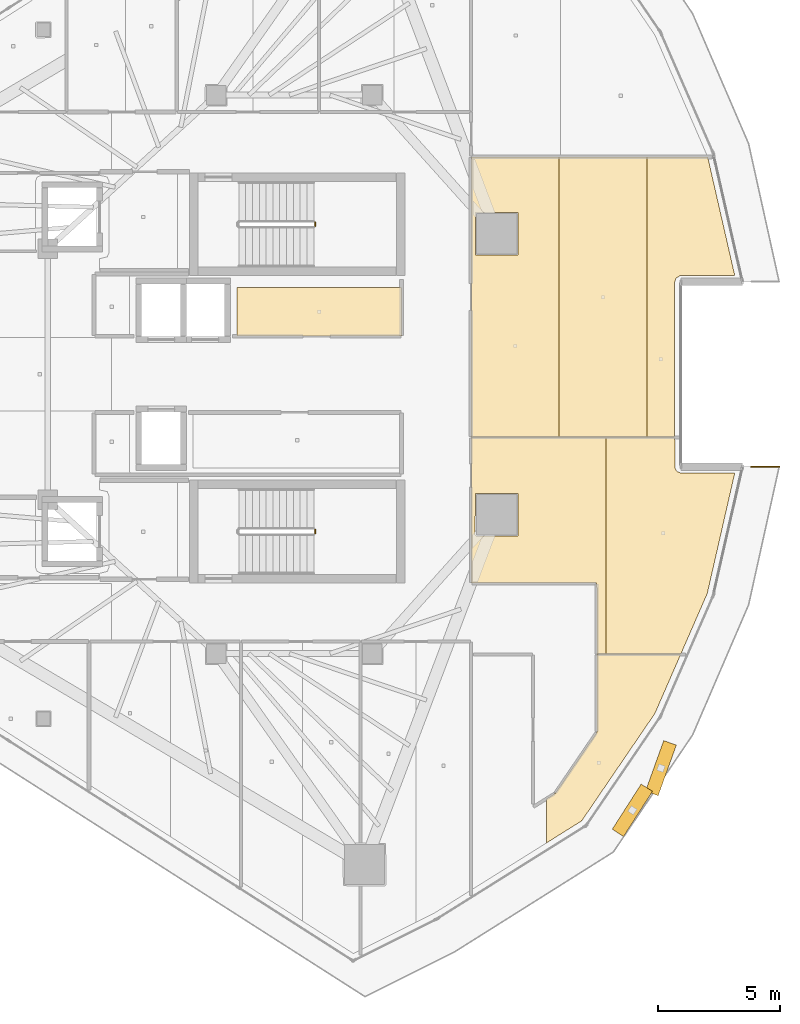
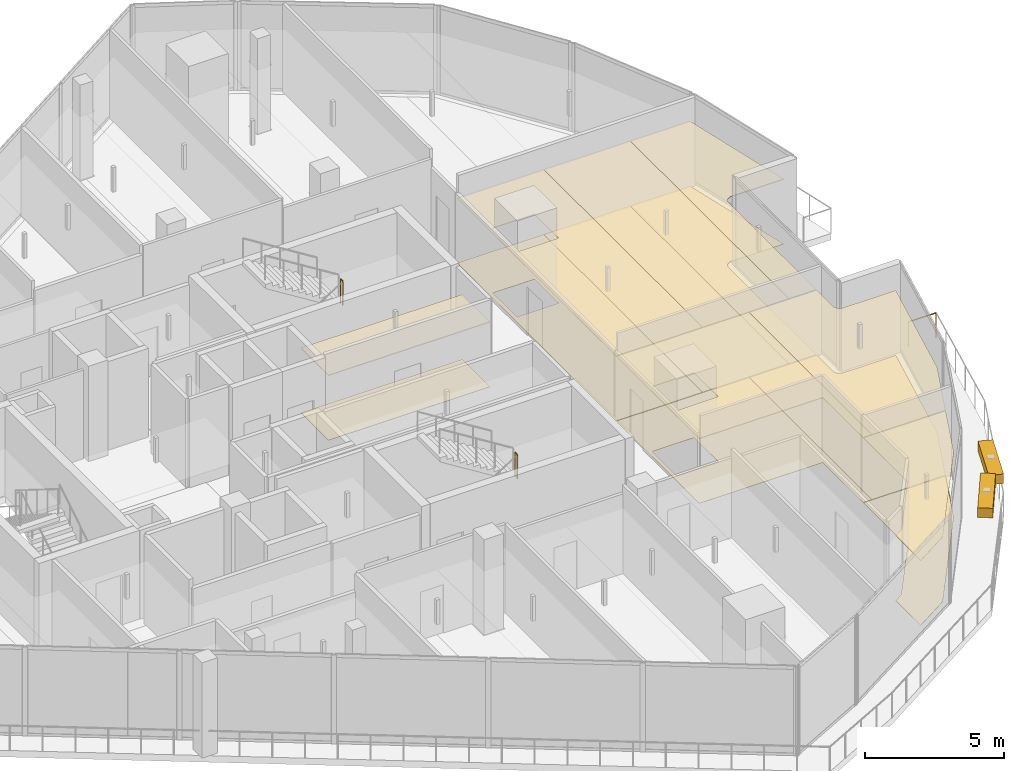
# One storey, part 35 of 36: 14 coverings, 3 railings, 2 shading devices.
"""IFC4 building model written with IfcOpenShell, lengths in metres."""

from ifc_helpers import new_model, si_unit, direction, frame, origin, origin_2d, place, context, subcontext, project, spatial, polyline, rectangle, circle, outline, extrude, material, layer, layer_set, type_object, element, save


model = new_model("IFC4")

# Units and contexts
model_context = context("Model", 3, precision=1e-05, world=origin(), true_north=direction((0.0, 1.0)))
body_context = subcontext(model_context, "Body", "Model", "MODEL_VIEW")
ifc_project = project(units=[si_unit("LENGTHUNIT", "METRE"), si_unit("AREAUNIT", "SQUARE_METRE"), si_unit("VOLUMEUNIT", "CUBIC_METRE"), si_unit("PLANEANGLEUNIT", "RADIAN"), si_unit("MASSUNIT", "GRAM", prefix="KILO")], contexts=[model_context])

# Site, building, storey
site_placement = place(None, origin())
site = spatial("IfcSite", under=ifc_project, at=site_placement, CompositionType="ELEMENT")
building_placement = place(site_placement, origin())
building = spatial("IfcBuilding", under=site, at=building_placement, Name="Qorvath Tower", CompositionType="ELEMENT")
storey_placement = place(building_placement, frame((0.0, 0.0, 272.39990234375)))
storey = spatial("IfcBuildingStorey", under=building, at=storey_placement, Name="L63", CompositionType="ELEMENT", Elevation=272.39990234375)

# Coverings
ifc_material_1 = material(Name="Acoustic mineral fibre ceiling tile", Category="gypsum")
ifc_layer_1 = layer(ifc_material_1, 0.030029296875)
ifc_layer_set_1 = layer_set([ifc_layer_1], Name="COV-CEIL")
covering_type_1 = type_object("IfcCoveringType", Name="COV-CEIL", PredefinedType="CEILING", material=ifc_layer_set_1)
covering_1_placement = place(storey_placement, frame((0.0, 0.0, 2.85009765625)))
element("IfcCovering", 1, at=covering_1_placement, inside=storey, type_object=covering_type_1, Name="L63 Suspended Acoustic Ceiling 003", PredefinedType="CEILING", context=body_context, shape_type="SweptSolid", body=[
    extrude(outline(polyline([(-16.0048828125, 3.56005859375), (-22.739990234375, 3.56005859375), (-22.739990234375, 1.56494140625), (-16.0048828125, 1.56494140625), (-16.0048828125, 3.56005859375)])), origin(), (0.0, 0.0, 1.0), 0.030029296875),
])
covering_2_placement = place(storey_placement, frame((0.0, 0.0, 2.85009765625)))
element("IfcCovering", 2, at=covering_2_placement, inside=storey, type_object=covering_type_1, Name="L63 Suspended Acoustic Ceiling 027", PredefinedType="CEILING", context=body_context, shape_type="SweptSolid", body=[
    extrude(outline(polyline([(-10.048583984375, -17.40576171875), (-10.048583984375, -19.213623046875), (-8.60986328125, -18.3134765625), (-5.60498046875, -13.90478515625), (-4.554931640625, -11.497802734375), (-7.987060546875, -11.497802734375), (-7.98779296875, -14.680908203125), (-9.694091796875, -17.184326171875), (-10.048583984375, -17.40576171875)])), origin(), (0.0, 0.0, 1.0), 0.030029296875),
])
covering_3_placement = place(storey_placement, frame((0.0, 0.0, 2.85009765625)))
element("IfcCovering", 3, at=covering_3_placement, inside=storey, type_object=covering_type_1, Name="L63 Suspended Acoustic Ceiling 028", PredefinedType="CEILING", context=body_context, shape_type="SweptSolid", body=[
    extrude(outline(polyline([(-7.617431640625, -11.479736328125), (-7.617431640625, -2.58935546875), (-13.136962890625, -2.58935546875), (-13.136962890625, -8.56689453125), (-7.991943359375, -8.56689453125), (-7.987060546875, -11.479736328125), (-7.617431640625, -11.479736328125)]), holes=[polyline([(-12.981689453125, -6.5830078125), (-12.964111328125, -4.890380859375), (-11.2294921875, -4.890380859375), (-11.2294921875, -6.625244140625), (-12.921875, -6.642822265625), (-12.981689453125, -6.5830078125)])]), origin(), (0.0, 0.0, 1.0), 0.030029296875),
])
covering_4_placement = place(storey_placement, frame((0.0, 0.0, 2.85009765625)))
element("IfcCovering", 4, at=covering_4_placement, inside=storey, type_object=covering_type_1, Name="L63 Suspended Acoustic Ceiling 029", PredefinedType="CEILING", context=body_context, shape_type="SweptSolid", body=[
    extrude(outline(polyline([(-4.70166015625, -3.986572265625), (-4.788818359375, -3.839599609375), (-4.793701171875, -2.58935546875), (-7.617431640625, -2.58935546875), (-7.617431640625, -11.479736328125), (-4.547119140625, -11.479736328125), (-3.459716796875, -8.987548828125), (-2.331298828125, -4.0458984375), (-4.563232421875, -4.044677734375), (-4.70166015625, -3.986572265625)])), origin(), (0.0, 0.0, 1.0), 0.030029296875),
])
covering_5_placement = place(storey_placement, frame((0.0, 0.0, 2.85009765625)))
element("IfcCovering", 5, at=covering_5_placement, inside=storey, type_object=covering_type_1, Name="L63 Suspended Acoustic Ceiling 030", PredefinedType="CEILING", context=body_context, shape_type="SweptSolid", body=[
    extrude(outline(polyline([(-9.53515625, -2.5712890625), (-9.53515625, 8.903564453125), (-13.136962890625, 8.903564453125), (-13.136962890625, -2.5712890625), (-9.53515625, -2.5712890625)]), holes=[polyline([(-12.964111328125, 4.890380859375), (-12.964111328125, 6.625244140625), (-11.2294921875, 6.625244140625), (-11.2294921875, 4.890380859375), (-12.964111328125, 4.890380859375)])]), origin(), (0.0, 0.0, 1.0), 0.030029296875),
])
covering_6_placement = place(storey_placement, frame((0.0, 0.0, 2.85009765625)))
element("IfcCovering", 6, at=covering_6_placement, inside=storey, type_object=covering_type_1, Name="L63 Suspended Acoustic Ceiling 031", PredefinedType="CEILING", context=body_context, shape_type="SweptSolid", body=[
    extrude(outline(polyline([(-5.93310546875, -2.5712890625), (-5.93310546875, 8.903564453125), (-9.53515625, 8.903564453125), (-9.53515625, -2.5712890625), (-5.93310546875, -2.5712890625)])), origin(), (0.0, 0.0, 1.0), 0.030029296875),
])
covering_7_placement = place(storey_placement, frame((0.0, 0.0, 2.85009765625)))
element("IfcCovering", 7, at=covering_7_placement, inside=storey, type_object=covering_type_1, Name="L63 Suspended Acoustic Ceiling 032", PredefinedType="CEILING", context=body_context, shape_type="SweptSolid", body=[
    extrude(outline(polyline([(-4.734375, 3.953857421875), (-4.563232421875, 4.044677734375), (-2.331298828125, 4.0458984375), (-3.4404296875, 8.903564453125), (-5.93310546875, 8.903564453125), (-5.93310546875, -2.5712890625), (-4.793701171875, -2.5712890625), (-4.793701171875, 3.790771484375), (-4.734375, 3.953857421875)])), origin(), (0.0, 0.0, 1.0), 0.030029296875),
])
ifc_material_2 = material(Name="Low-VOC modular carpet tile", Category="textile")
ifc_layer_2 = layer(ifc_material_2, 0.014892578125)
ifc_layer_set_2 = layer_set([ifc_layer_2], Name="COV-FLOOR-CPT")
covering_type_2 = type_object("IfcCoveringType", Name="COV-FLOOR-CPT", PredefinedType="FLOORING", material=ifc_layer_set_2)
covering_8_placement = place(storey_placement, origin())
element("IfcCovering", 8, at=covering_8_placement, inside=storey, type_object=covering_type_2, Name="L63 Floor Finish 003", PredefinedType="FLOORING", context=body_context, shape_type="SweptSolid", body=[
    extrude(outline(polyline([(-16.0048828125, 3.56005859375), (-22.739990234375, 3.56005859375), (-22.739990234375, 1.56494140625), (-16.0048828125, 1.56494140625), (-16.0048828125, 3.56005859375)])), origin(), (0.0, 0.0, 1.0), 0.01513671875),
])
covering_9_placement = place(storey_placement, origin())
element("IfcCovering", 9, at=covering_9_placement, inside=storey, type_object=covering_type_2, Name="L63 Floor Finish 027", PredefinedType="FLOORING", context=body_context, shape_type="SweptSolid", body=[
    extrude(outline(polyline([(-10.048583984375, -17.40576171875), (-10.048583984375, -19.213623046875), (-8.60986328125, -18.3134765625), (-5.60498046875, -13.90478515625), (-4.554931640625, -11.497802734375), (-7.987060546875, -11.497802734375), (-7.98779296875, -14.680908203125), (-9.694091796875, -17.184326171875), (-10.048583984375, -17.40576171875)])), origin(), (0.0, 0.0, 1.0), 0.01513671875),
])
covering_10_placement = place(storey_placement, origin())
element("IfcCovering", 10, at=covering_10_placement, inside=storey, type_object=covering_type_2, Name="L63 Floor Finish 028", PredefinedType="FLOORING", context=body_context, shape_type="SweptSolid", body=[
    extrude(outline(polyline([(-7.617431640625, -11.479736328125), (-7.617431640625, -2.58935546875), (-13.136962890625, -2.58935546875), (-13.136962890625, -8.56689453125), (-7.991943359375, -8.56689453125), (-7.987060546875, -11.479736328125), (-7.617431640625, -11.479736328125)]), holes=[polyline([(-12.981689453125, -6.5830078125), (-12.964111328125, -4.890380859375), (-11.2294921875, -4.890380859375), (-11.2294921875, -6.625244140625), (-12.921875, -6.642822265625), (-12.981689453125, -6.5830078125)])]), origin(), (0.0, 0.0, 1.0), 0.01513671875),
])
covering_11_placement = place(storey_placement, origin())
element("IfcCovering", 11, at=covering_11_placement, inside=storey, type_object=covering_type_2, Name="L63 Floor Finish 029", PredefinedType="FLOORING", context=body_context, shape_type="SweptSolid", body=[
    extrude(outline(polyline([(-4.70166015625, -3.986572265625), (-4.788818359375, -3.839599609375), (-4.793701171875, -2.58935546875), (-7.617431640625, -2.58935546875), (-7.617431640625, -11.479736328125), (-4.547119140625, -11.479736328125), (-3.459716796875, -8.987548828125), (-2.331298828125, -4.0458984375), (-4.563232421875, -4.044677734375), (-4.70166015625, -3.986572265625)])), origin(), (0.0, 0.0, 1.0), 0.01513671875),
])
covering_12_placement = place(storey_placement, origin())
element("IfcCovering", 12, at=covering_12_placement, inside=storey, type_object=covering_type_2, Name="L63 Floor Finish 030", PredefinedType="FLOORING", context=body_context, shape_type="SweptSolid", body=[
    extrude(outline(polyline([(-9.53515625, -2.5712890625), (-9.53515625, 8.903564453125), (-13.136962890625, 8.903564453125), (-13.136962890625, -2.5712890625), (-9.53515625, -2.5712890625)]), holes=[polyline([(-12.964111328125, 4.890380859375), (-12.964111328125, 6.625244140625), (-11.2294921875, 6.625244140625), (-11.2294921875, 4.890380859375), (-12.964111328125, 4.890380859375)])]), origin(), (0.0, 0.0, 1.0), 0.01513671875),
])
covering_13_placement = place(storey_placement, origin())
element("IfcCovering", 13, at=covering_13_placement, inside=storey, type_object=covering_type_2, Name="L63 Floor Finish 031", PredefinedType="FLOORING", context=body_context, shape_type="SweptSolid", body=[
    extrude(outline(polyline([(-5.93310546875, -2.5712890625), (-5.93310546875, 8.903564453125), (-9.53515625, 8.903564453125), (-9.53515625, -2.5712890625), (-5.93310546875, -2.5712890625)])), origin(), (0.0, 0.0, 1.0), 0.01513671875),
])
covering_14_placement = place(storey_placement, origin())
element("IfcCovering", 14, at=covering_14_placement, inside=storey, type_object=covering_type_2, Name="L63 Floor Finish 032", PredefinedType="FLOORING", context=body_context, shape_type="SweptSolid", body=[
    extrude(outline(polyline([(-4.734375, 3.953857421875), (-4.563232421875, 4.044677734375), (-2.331298828125, 4.0458984375), (-3.4404296875, 8.903564453125), (-5.93310546875, 8.903564453125), (-5.93310546875, -2.5712890625), (-4.793701171875, -2.5712890625), (-4.793701171875, 3.790771484375), (-4.734375, 3.953857421875)])), origin(), (0.0, 0.0, 1.0), 0.01513671875),
])

# Railings
ifc_material_3 = material(Name="Laminated safety glass and stainless steel AISI 316", Category="steel")
railing_type_1 = type_object("IfcRailingType", Name="RL-EXT-GRD", PredefinedType="GUARDRAIL", material=ifc_material_3)
railing_placement = place(storey_placement, frame((-1.661865234375, -3.790771484375, 0.0)))
element("IfcRailing", 15, at=railing_placement, inside=storey, type_object=railing_type_1, Name="Loggia Perimeter Guardrail L63-1.2", PredefinedType="GUARDRAIL", context=body_context, shape_type="SweptSolid", body=[
    extrude(circle(Radius=0.02392578125, at=origin_2d()), frame((0.0, 0.0, 1.09619140625), z_axis=(1.0, 0.0, 0.0), x_axis=(0.0, 1.0, 0.0)), (0.0, 0.0, 1.0), 1.158935546875),
    extrude(circle(Radius=0.02099609375, at=origin_2d()), origin(), (0.0, 0.0, 1.0), 1.072021484375),
    extrude(circle(Radius=0.02099609375, at=origin_2d()), frame((1.158935546875, 0.0, 0.0)), (0.0, 0.0, 1.0), 1.072021484375),
])
ifc_material_4 = material(Name="Painted galvanised steel", Category="steel")
railing_type_2 = type_object("IfcRailingType", Name="RL-STR-GRD", PredefinedType="GUARDRAIL", material=ifc_material_4)
for number, where, name in (
    (16, (-19.5400390625, 6.080078125, 2.10009765625), "L63 TS1 stair guard 2"),
    (17, (-19.5400390625, -6.52001953125, 2.10009765625), "L63 TS2 stair guard 2"),
):
    element("IfcRailing", number, at=place(storey_placement, frame(where)), inside=storey, type_object=railing_type_2, Name=name, PredefinedType="GUARDRAIL", context=body_context, shape_type="SweptSolid", body=[
        extrude(circle(Radius=0.02392578125, at=origin_2d()), frame((0.0, 0.0, 1.076171875), z_axis=(0.0, 1.0, 0.0), x_axis=(-1.0, 0.0, 0.0)), (0.0, 0.0, 1.0), 0.14990234375),
        extrude(circle(Radius=0.02099609375, at=origin_2d()), origin(), (0.0, 0.0, 1.0), 1.052001953125),
        extrude(circle(Radius=0.02099609375, at=origin_2d()), frame((0.0, 0.14990234375, 0.0)), (0.0, 0.0, 1.0), 1.052001953125),
    ])

# Shading devices
ifc_material_5 = material(Name="Anodised bronze-champagne aluminium", Category="aluminium")
shading_device_type = type_object("IfcShadingDeviceType", Name="SD-LOUVRE", PredefinedType="JALOUSIE", material=ifc_material_5)
for number, where, z_axis, x_axis, name in (
    (18, (-6.53173828125, -17.87890625, 3.490234375), (0.0, 0.0, 1.0), (0.539073643681, 0.842258634084, 0.0), "Sinusoidal Wave Louvre Blade L63-03"),
    (19, (-5.359619140625, -16.148681640625, 3.490234375), (0.0, 0.0, 1.0), (0.338365126362, 0.941014899596, 0.0), "Sinusoidal Wave Louvre Blade L63-04"),
):
    element("IfcShadingDevice", number, at=place(storey_placement, frame(where, z_axis=z_axis, x_axis=x_axis)), inside=storey, type_object=shading_device_type, Name=name, PredefinedType="NOTDEFINED", context=body_context, shape_type="SweptSolid", body=[
        extrude(rectangle(XDim=2.199951171875, YDim=0.550048828125, at=origin_2d()), origin(), (0.0, 0.0, 1.0), 0.419921875),
    ])

save(model, "model.ifc")
